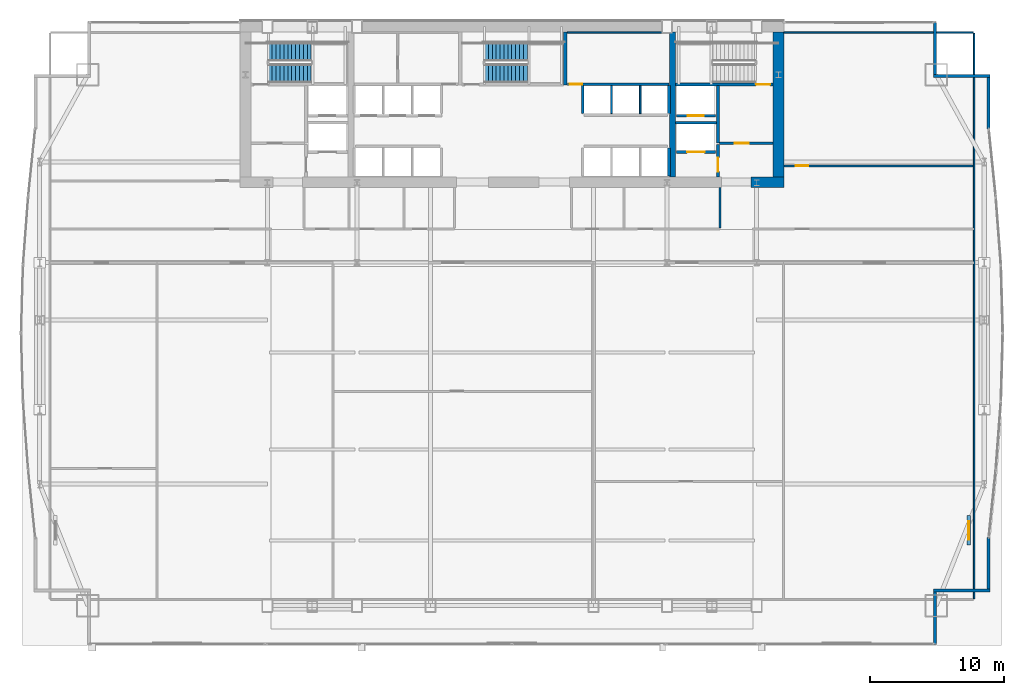
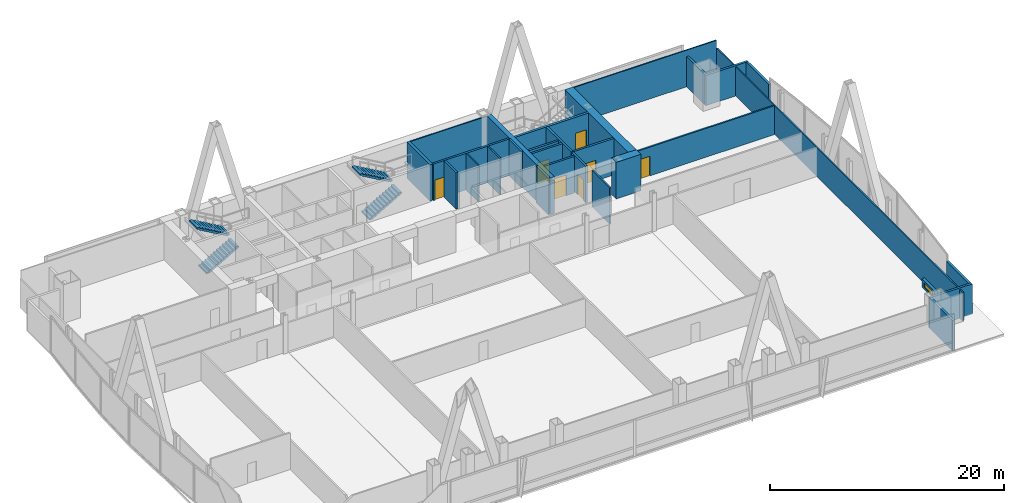
# One storey, part 31 of 35: 29 walls, 7 doors, 4 stair flights, 1 window, 8 openings, 2 elements without a shape of their own.
"""IFC4 building model written with IfcOpenShell, lengths in metres."""

from ifc_helpers import new_model, si_unit, direction, frame, frame_2d, origin, place, context, subcontext, project, spatial, polyline, rectangle, outline, extrude, material, layer, layer_set, type_object, element, fill, aggregate, save


model = new_model("IFC4")

# Units and contexts
model_context = context("Model", 3, precision=1e-05, world=origin(), true_north=direction((0.0, 1.0)))
body_context = subcontext(model_context, "Body", "Model", "MODEL_VIEW")
ifc_project = project(units=[si_unit("LENGTHUNIT", "METRE"), si_unit("AREAUNIT", "SQUARE_METRE"), si_unit("VOLUMEUNIT", "CUBIC_METRE"), si_unit("PLANEANGLEUNIT", "RADIAN"), si_unit("MASSUNIT", "GRAM", prefix="KILO")], contexts=[model_context])

# Site, building, storey
site_placement = place(None, origin())
site = spatial("IfcSite", under=ifc_project, at=site_placement, CompositionType="ELEMENT")
building_placement = place(site_placement, origin())
building = spatial("IfcBuilding", under=site, at=building_placement, Name="Khoronbel Lancet Exchange", CompositionType="ELEMENT")
storey_placement = place(building_placement, frame((0.0, 0.0, 25.800048828125)))
storey = spatial("IfcBuildingStorey", under=building, at=storey_placement, Name="L05", CompositionType="ELEMENT", Elevation=25.800048828125)

# Walls
ifc_material_1 = material(Name="Concrete C80/95", Category="concrete")
ifc_layer_1 = layer(ifc_material_1, 0.800048828125, Name="Concrete C80/95")
ifc_layer_set_1 = layer_set([ifc_layer_1], Name="Concrete C80/95")
wall_type_1 = type_object("IfcWallType", Name="WL-CW1", PredefinedType="SHEAR", material=ifc_layer_set_1)
wall_1_placement = place(storey_placement, frame((56.300048828125, 52.89990234375, 0.0), z_axis=(0.0, 0.0, 1.0), x_axis=(0.0, -1.0, 0.0)))
element("IfcWall", 1, at=wall_1_placement, inside=storey, type_object=wall_type_1, Name="Level L05 rear core east shear wall", PredefinedType="SHEAR", context=body_context, shape_type="SweptSolid", body=[
    extrude(rectangle(XDim=10.7998046875, YDim=0.800048828125, at=frame_2d((5.39990234375, 0.0))), origin(), (0.0, 0.0, 1.0), 3.820068359375),
])
wall_2_placement = place(storey_placement, frame((56.699951171875, 41.699951171875, 0.0), z_axis=(0.0, 0.0, 1.0), x_axis=(-1.0, 0.0, 0.0)))
element("IfcWall", 2, at=wall_2_placement, inside=storey, type_object=wall_type_1, Name="Level L05 rear core south shear wall pier P5", PredefinedType="SHEAR", context=body_context, shape_type="SweptSolid", body=[
    extrude(rectangle(XDim=2.449951171875, YDim=0.800048828125, at=frame_2d((1.22509765625, 0.0))), origin(), (0.0, 0.0, 1.0), 3.820068359375),
])
ifc_material_2 = material(Name="Precast concrete C40/50", Category="concrete")
ifc_layer_2 = layer(ifc_material_2, 0.25, Name="Precast concrete C40/50")
ifc_layer_set_2 = layer_set([ifc_layer_2], Name="Precast concrete C40/50")
wall_type_2 = type_object("IfcWallType", Name="WL-EXT250", PredefinedType="SOLIDWALL", material=ifc_layer_set_2)
wall_3_placement = place(storey_placement, frame((67.9599609375, 53.6298828125, 0.0), z_axis=(0.0, 0.0, 1.0), x_axis=(0.0, -1.0, 0.0)))
element("IfcWall", 3, at=wall_3_placement, inside=storey, type_object=wall_type_2, Name="Level L05 notched-corner limestone pier 14", PredefinedType="SOLIDWALL", context=body_context, shape_type="SweptSolid", body=[
    extrude(rectangle(XDim=3.909912109375, YDim=0.219970703125, at=frame_2d((1.955078125, 0.0))), origin(), (0.0, 0.0, 1.0), 3.159912109375),
])
wall_4_placement = place(storey_placement, frame((67.85009765625, 49.610107421875, 0.0), z_axis=(0.0, 0.0, 1.0), x_axis=(1.0, 0.0, 0.0)))
element("IfcWall", 4, at=wall_4_placement, inside=storey, type_object=wall_type_2, Name="Level L05 notched-corner limestone pier 15", PredefinedType="SOLIDWALL", context=body_context, shape_type="SweptSolid", body=[
    extrude(rectangle(XDim=4.219970703125, YDim=0.219970703125, at=frame_2d((2.10986328125, 0.0))), origin(), (0.0, 0.0, 1.0), 3.159912109375),
])
for number, where, z_axis, x_axis, name in (
    (5, (71.9599609375, 49.5, 0.0), (0.0, 0.0, 1.0), (0.0, -1.0, 0.0), "Level L05 notched-corner limestone pier 16"),
    (6, (71.9599609375, 15.224609375, 0.0), (0.0, 0.0, 1.0), (0.0, -1.0, 0.0), "Level L05 notched-corner limestone pier 23"),
):
    element("IfcWall", number, at=place(storey_placement, frame(where, z_axis=z_axis, x_axis=x_axis)), inside=storey, type_object=wall_type_2, Name=name, PredefinedType="SOLIDWALL", context=body_context, shape_type="SweptSolid", body=[
        extrude(rectangle(XDim=3.82470703125, YDim=0.219970703125, at=frame_2d((1.912353515625, 0.0))), origin(), (0.0, 0.0, 1.0), 3.159912109375),
    ])
wall_5_placement = place(storey_placement, frame((72.070068359375, 11.2900390625, 0.0), z_axis=(0.0, 0.0, 1.0), x_axis=(-1.0, 0.0, 0.0)))
element("IfcWall", 7, at=wall_5_placement, inside=storey, type_object=wall_type_2, Name="Level L05 notched-corner limestone pier 24", PredefinedType="SOLIDWALL", context=body_context, shape_type="SweptSolid", body=[
    extrude(rectangle(XDim=4.219970703125, YDim=0.219970703125, at=frame_2d((2.10986328125, 0.0))), origin(), (0.0, 0.0, 1.0), 3.159912109375),
])
wall_6_placement = place(storey_placement, frame((67.9599609375, 11.179931640625, 0.0), z_axis=(0.0, 0.0, 1.0), x_axis=(0.0, -1.0, 0.0)))
element("IfcWall", 8, at=wall_6_placement, inside=storey, type_object=wall_type_2, Name="Level L05 notched-corner limestone pier 25", PredefinedType="SOLIDWALL", context=body_context, shape_type="SweptSolid", body=[
    extrude(rectangle(XDim=3.909912109375, YDim=0.219970703125, at=frame_2d((1.955078125, 0.0))), origin(), (0.0, 0.0, 1.0), 3.159912109375),
])

# Wall, opening, window
ifc_material_3 = material(Name="Concrete C40/50", Category="concrete")
ifc_layer_3 = layer(ifc_material_3, 0.25, Name="Concrete C40/50")
ifc_layer_set_3 = layer_set([ifc_layer_3], Name="Concrete C40/50")
wall_type_3 = type_object("IfcWallType", Name="WL-PAR250", PredefinedType="PARAPET", material=ifc_layer_set_3)
wall_7_placement = place(storey_placement, frame((70.485107421875, 14.658447265625, 0.0), z_axis=(0.0, 0.0, 1.0), x_axis=(0.0, 1.0, 0.0)))
wall_7 = element("IfcWall", 9, at=wall_7_placement, inside=storey, type_object=wall_type_3, Name="Level L05 setback roof slab 2 smoke-ventilation skylight lantern curb", PredefinedType="PARAPET", context=body_context, shape_type="SweptSolid", body=[
    extrude(rectangle(XDim=2.199951171875, YDim=0.25, at=frame_2d((1.10009765625, 0.0))), origin(), (0.0, 0.0, 1.0), 0.8798828125),
])
opening_1_placement = place(wall_7_placement, frame((0.39990234375, 0.0, 0.159912109375)))
opening_1 = element("IfcOpeningElement", 10, at=opening_1_placement, cuts=wall_7, Name="Opening SK2", PredefinedType="OPENING", context=body_context, shape_type="SweptSolid", body=[
    extrude(rectangle(XDim=1.39990234375, YDim=0.5, at=frame_2d((0.699951171875, 0.25))), frame((0.0, 0.135009765625, 0.0), z_axis=(0.0, -1.0, 0.0), x_axis=(1.0, 0.0, 0.0)), (0.0, 0.0, 1.0), 0.27001953125),
])
ifc_material_4 = material(Name="Low-E Solar Control Insulating Glass", Category="glass")
window_type = type_object("IfcWindowType", Name="WIN-SK2", PartitioningType="SINGLE_PANEL", PredefinedType="SKYLIGHT", material=ifc_material_4)
window_placement = place(opening_1_placement, origin())
window = element("IfcWindow", 11, at=window_placement, inside=storey, type_object=window_type, Name="Level L05 setback roof slab 2 smoke-ventilation clerestory skylight", OverallHeight=0.5, OverallWidth=1.39990234375, PartitioningType="SINGLE_PANEL", PredefinedType="SKYLIGHT", context=body_context, shape_type="SweptSolid", body=[
    extrude(rectangle(XDim=1.39990234375, YDim=0.5, at=frame_2d((0.699951171875, 0.25))), frame((0.0, 0.030029296875, 0.0), z_axis=(0.0, -1.0, 0.0), x_axis=(1.0, 0.0, 0.0)), (0.0, 0.0, 1.0), 0.06005859375),
])
fill(opening_1, window)

# Wall
ifc_material_5 = material(Name="Acoustic Metal-Stud & Mineral-Wool Gypsum Partition 120 mm", Category="gypsum")
ifc_layer_4 = layer(ifc_material_5, 0.1201171875, Name="Acoustic Metal-Stud & Mineral-Wool Gypsum Partition 120 mm")
ifc_layer_set_4 = layer_set([ifc_layer_4], Name="Acoustic Metal-Stud & Mineral-Wool Gypsum Partition 120 mm")
wall_type_4 = type_object("IfcWallType", Name="WL-PRT120", PredefinedType="PARTITIONING", material=ifc_layer_set_4)
wall_8_placement = place(storey_placement, frame((51.949951171875, 38.280029296875, 0.0), z_axis=(0.0, 0.0, 1.0), x_axis=(0.0, 1.0, 0.0)))
element("IfcWall", 12, at=wall_8_placement, inside=storey, type_object=wall_type_4, Name="Level L05 interior partition PW-NP-1", PredefinedType="PARTITIONING", context=body_context, shape_type="SweptSolid", body=[
    extrude(rectangle(XDim=3.02001953125, YDim=0.14990234375, at=frame_2d((1.510009765625, 0.0))), origin(), (0.0, 0.0, 1.0), 3.820068359375),
])

# Wall, opening, door
wall_9_placement = place(storey_placement, frame((56.699951171875, 42.919921875, 0.0), z_axis=(0.0, 0.0, 1.0), x_axis=(1.0, 0.0, 0.0)))
wall_9 = element("IfcWall", 13, at=wall_9_placement, inside=storey, type_object=wall_type_4, Name="Level L05 interior partition PW-NE-H", PredefinedType="PARTITIONING", context=body_context, shape_type="SweptSolid", body=[
    extrude(rectangle(XDim=14.10498046875, YDim=0.14990234375, at=frame_2d((7.052490234375, 0.0))), origin(), (0.0, 0.0, 1.0), 3.010009765625),
])
opening_2_placement = place(wall_9_placement, frame((0.89990234375, 0.0, 0.0)))
opening_2 = element("IfcOpeningElement", 14, at=opening_2_placement, cuts=wall_9, Name="Opening D5", PredefinedType="OPENING", context=body_context, shape_type="SweptSolid", body=[
    extrude(rectangle(XDim=0.89990234375, YDim=2.050048828125, at=frame_2d((0.449951171875, 1.02490234375))), frame((0.0, 0.0849609375, 0.0), z_axis=(0.0, -1.0, 0.0), x_axis=(1.0, 0.0, 0.0)), (0.0, 0.0, 1.0), 0.169921875),
])
ifc_material_6 = material(Name="Acoustic Timber Pantry & Support Door", Category="wood")
door_type_1 = type_object("IfcDoorType", Name="DR-D5", OperationType="NOTDEFINED", PredefinedType="DOOR", material=ifc_material_6)
door_1_placement = place(opening_2_placement, origin())
door_1 = element("IfcDoor", 15, at=door_1_placement, inside=storey, type_object=door_type_1, Name="NE north room door L05-1", OperationType="SINGLE_SWING_LEFT", OverallHeight=2.050048828125, OverallWidth=0.89990234375, PredefinedType="DOOR", context=body_context, shape_type="SweptSolid", body=[
    extrude(rectangle(XDim=0.89990234375, YDim=2.050048828125, at=frame_2d((0.449951171875, 1.02490234375))), frame((0.0, 0.02490234375, 0.0), z_axis=(0.0, -1.0, 0.0), x_axis=(1.0, 0.0, 0.0)), (0.0, 0.0, 1.0), 0.050048828125),
])
fill(opening_2, door_1)

# Walls
wall_10_placement = place(storey_placement, frame((70.8701171875, 10.6650390625, 0.0), z_axis=(0.0, 0.0, 1.0), x_axis=(0.0, 1.0, 0.0)))
element("IfcWall", 16, at=wall_10_placement, inside=storey, type_object=wall_type_4, Name="Level L05 interior partition PW-LIN-E", PredefinedType="PARTITIONING", context=body_context, shape_type="SweptSolid", body=[
    extrude(rectangle(XDim=42.10986328125, YDim=0.1201171875, at=frame_2d((21.054931640625, 0.0))), origin(), (0.0, 0.0, 1.0), 3.010009765625),
])
wall_11_placement = place(storey_placement, frame((56.699951171875, 52.840087890625, 0.0), z_axis=(0.0, 0.0, 1.0), x_axis=(1.0, 0.0, 0.0)))
element("IfcWall", 17, at=wall_11_placement, inside=storey, type_object=wall_type_4, Name="Level L05 interior partition PW-LIN-NE", PredefinedType="PARTITIONING", context=body_context, shape_type="SweptSolid", body=[
    extrude(rectangle(XDim=14.10498046875, YDim=0.1201171875, at=frame_2d((7.052490234375, 0.0))), origin(), (0.0, 0.0, 1.0), 3.820068359375),
])
ifc_material_7 = material(Name="Fire-Rated Metal-Stud & Mineral-Wool Gypsum Partition 120 mm", Category="gypsum")
ifc_layer_5 = layer(ifc_material_7, 0.1201171875, Name="Fire-Rated Metal-Stud & Mineral-Wool Gypsum Partition 120 mm")
ifc_layer_set_5 = layer_set([ifc_layer_5], Name="Fire-Rated Metal-Stud & Mineral-Wool Gypsum Partition 120 mm")
wall_type_5 = type_object("IfcWallType", Name="WL-PRT120F", PredefinedType="PARTITIONING", material=ifc_layer_set_5)
for number, where, z_axis, x_axis, name in (
    (18, (43.860107421875, 46.804931640625, 0.0), (0.0, 0.0, 1.0), (0.0, 1.0, 0.0), "Level L05 interior partition CW-PH-D1"),
    (19, (46.0, 46.804931640625, 0.0), (0.0, 0.0, 1.0), (0.0, 1.0, 0.0), "Level L05 interior partition CW-PH-D2"),
):
    element("IfcWall", number, at=place(storey_placement, frame(where, z_axis=z_axis, x_axis=x_axis)), inside=storey, type_object=wall_type_5, Name=name, PredefinedType="PARTITIONING", context=body_context, shape_type="SweptSolid", body=[
        extrude(rectangle(XDim=2.090087890625, YDim=0.1201171875, at=frame_2d((1.044921875, 0.0))), origin(), (0.0, 0.0, 1.0), 3.820068359375),
    ])
wall_12_placement = place(storey_placement, frame((40.580078125, 52.860107421875, 0.0), z_axis=(0.0, 0.0, 1.0), x_axis=(1.0, 0.0, 0.0)))
element("IfcWall", 20, at=wall_12_placement, inside=storey, type_object=wall_type_5, Name="Level L05 interior partition CW-SUP-NE-N", PredefinedType="PARTITIONING", context=body_context, shape_type="SweptSolid", body=[
    extrude(rectangle(XDim=7.559814453125, YDim=0.1201171875, at=frame_2d((3.77978515625, 0.0))), origin(), (0.0, 0.0, 1.0), 3.820068359375),
])

# Wall, opening, door
ifc_material_8 = material(Name="Autoclaved Aerated Concrete Blockwork 200 mm", Category="masonry")
ifc_layer_6 = layer(ifc_material_8, 0.199951171875, Name="Autoclaved Aerated Concrete Blockwork 200 mm")
ifc_layer_set_6 = layer_set([ifc_layer_6], Name="Autoclaved Aerated Concrete Blockwork 200 mm")
wall_type_6 = type_object("IfcWallType", Name="WL-PRT200", PredefinedType="PARTITIONING", material=ifc_layer_set_6)
wall_13_placement = place(storey_placement, frame((51.610107421875, 43.949951171875, 0.0), z_axis=(0.0, 0.0, 1.0), x_axis=(-1.0, 0.0, 0.0)))
wall_13 = element("IfcWall", 21, at=wall_13_placement, inside=storey, type_object=wall_type_6, Name="Level L05 elevator hoistway landing front wall SVLE", PredefinedType="PARTITIONING", context=body_context, shape_type="SweptSolid", body=[
    extrude(rectangle(XDim=2.920166015625, YDim=0.199951171875, at=frame_2d((1.4599609375, 0.0))), origin(), (0.0, 0.0, 1.0), 3.820068359375),
])
opening_3_placement = place(wall_13_placement, frame((0.81005859375, 0.0, 0.0)))
opening_3 = element("IfcOpeningElement", 22, at=opening_3_placement, cuts=wall_13, Name="Opening LD-SVL2", PredefinedType="OPENING", context=body_context, shape_type="SweptSolid", body=[
    extrude(rectangle(XDim=1.300048828125, YDim=2.179931640625, at=frame_2d((0.64990234375, 1.08984375))), frame((0.0, 0.10986328125, 0.0), z_axis=(0.0, -1.0, 0.0), x_axis=(1.0, 0.0, 0.0)), (0.0, 0.0, 1.0), 0.219970703125),
])
ifc_material_9 = material(Name="Heavy-Duty Bi-Parting Goods Lift Landing Door", Category="steel")
door_type_2 = type_object("IfcDoorType", Name="DR-LD-SVL", OperationType="NOTDEFINED", PredefinedType="DOOR", material=ifc_material_9)
door_2_placement = place(opening_3_placement, origin())
door_2 = element("IfcDoor", 23, at=door_2_placement, inside=storey, type_object=door_type_2, Name="Elevator landing sliding door LD-SVL2 L05", OperationType="SLIDING_TO_LEFT", OverallHeight=2.179931640625, OverallWidth=1.300048828125, PredefinedType="DOOR", context=body_context, shape_type="SweptSolid", body=[
    extrude(rectangle(XDim=1.300048828125, YDim=2.179931640625, at=frame_2d((0.64990234375, 1.08984375))), frame((0.0, 0.02490234375, 0.0), z_axis=(0.0, -1.0, 0.0), x_axis=(1.0, 0.0, 0.0)), (0.0, 0.0, 1.0), 0.050048828125),
])
fill(opening_3, door_2)

wall_14_placement = place(storey_placement, frame((51.610107421875, 46.64990234375, 0.0), z_axis=(0.0, 0.0, 1.0), x_axis=(-1.0, 0.0, 0.0)))
wall_14 = element("IfcWall", 24, at=wall_14_placement, inside=storey, type_object=wall_type_6, Name="Level L05 elevator hoistway landing front wall FFLE", PredefinedType="PARTITIONING", context=body_context, shape_type="SweptSolid", body=[
    extrude(rectangle(XDim=2.920166015625, YDim=0.199951171875, at=frame_2d((1.4599609375, 0.0))), origin(), (0.0, 0.0, 1.0), 3.820068359375),
])
opening_4_placement = place(wall_14_placement, frame((0.860107421875, 0.0, 0.0)))
opening_4 = element("IfcOpeningElement", 25, at=opening_4_placement, cuts=wall_14, Name="Opening LD-FFL2", PredefinedType="OPENING", context=body_context, shape_type="SweptSolid", body=[
    extrude(rectangle(XDim=1.199951171875, YDim=2.179931640625, at=frame_2d((0.60009765625, 1.08984375))), frame((0.0, 0.10986328125, 0.0), z_axis=(0.0, -1.0, 0.0), x_axis=(1.0, 0.0, 0.0)), (0.0, 0.0, 1.0), 0.219970703125),
])
ifc_material_10 = material(Name="Fire-Rated Stainless Bi-Parting Firefighting Lift Door", Category="steel")
door_type_3 = type_object("IfcDoorType", Name="DR-LD-FFL", OperationType="NOTDEFINED", PredefinedType="DOOR", material=ifc_material_10)
door_3_placement = place(opening_4_placement, origin())
door_3 = element("IfcDoor", 26, at=door_3_placement, inside=storey, type_object=door_type_3, Name="Elevator landing sliding door LD-FFL2 L05", OperationType="SLIDING_TO_LEFT", OverallHeight=2.179931640625, OverallWidth=1.199951171875, PredefinedType="DOOR", context=body_context, shape_type="SweptSolid", body=[
    extrude(rectangle(XDim=1.199951171875, YDim=2.179931640625, at=frame_2d((0.60009765625, 1.08984375))), frame((0.0, 0.02490234375, 0.0), z_axis=(0.0, -1.0, 0.0), x_axis=(1.0, 0.0, 0.0)), (0.0, 0.0, 1.0), 0.050048828125),
])
fill(opening_4, door_3)

# Wall
wall_15_placement = place(storey_placement, frame((51.800048828125, 44.60009765625, 0.0), z_axis=(0.0, 0.0, 1.0), x_axis=(0.0, 1.0, 0.0)))
element("IfcWall", 27, at=wall_15_placement, inside=storey, type_object=wall_type_6, Name="Level L05 interior partition CW-FFLE-W", PredefinedType="PARTITIONING", context=body_context, shape_type="SweptSolid", body=[
    extrude(rectangle(XDim=4.2998046875, YDim=0.199951171875, at=frame_2d((2.14990234375, 0.0))), origin(), (0.0, 0.0, 1.0), 3.820068359375),
])

# Wall, opening, door
wall_16_placement = place(storey_placement, frame((51.89990234375, 44.60009765625, 0.0), z_axis=(0.0, 0.0, 1.0), x_axis=(1.0, 0.0, 0.0)))
wall_16 = element("IfcWall", 28, at=wall_16_placement, inside=storey, type_object=wall_type_6, Name="Level L05 interior partition CW-FFLE-S", PredefinedType="PARTITIONING", context=body_context, shape_type="SweptSolid", body=[
    extrude(rectangle(XDim=4.0, YDim=0.199951171875, at=frame_2d((2.0, 0.0))), origin(), (0.0, 0.0, 1.0), 3.820068359375),
])
opening_5_placement = place(wall_16_placement, frame((1.14990234375, 0.0, 0.0)))
opening_5 = element("IfcOpeningElement", 29, at=opening_5_placement, cuts=wall_16, Name="Opening FD1", PredefinedType="OPENING", context=body_context, shape_type="SweptSolid", body=[
    extrude(rectangle(XDim=1.050048828125, YDim=2.14990234375, at=frame_2d((0.52490234375, 1.074951171875))), frame((0.0, 0.10986328125, 0.0), z_axis=(0.0, -1.0, 0.0), x_axis=(1.0, 0.0, 0.0)), (0.0, 0.0, 1.0), 0.219970703125),
])
ifc_material_11 = material(Name="Fire-Rated Painted Steel Door Assembly", Category="steel")
door_type_4 = type_object("IfcDoorType", Name="DR-FD1", OperationType="NOTDEFINED", PredefinedType="DOOR", material=ifc_material_11)
door_4_placement = place(opening_5_placement, origin())
door_4 = element("IfcDoor", 30, at=door_4_placement, inside=storey, type_object=door_type_4, Name="East firefighting lobby FD90S door L05-1", OperationType="SINGLE_SWING_RIGHT", OverallHeight=2.14990234375, OverallWidth=1.050048828125, PredefinedType="DOOR", context=body_context, shape_type="SweptSolid", body=[
    extrude(rectangle(XDim=1.050048828125, YDim=2.14990234375, at=frame_2d((0.52490234375, 1.074951171875))), frame((0.0, 0.02490234375, 0.0), z_axis=(0.0, -1.0, 0.0), x_axis=(1.0, 0.0, 0.0)), (0.0, 0.0, 1.0), 0.050048828125),
])
fill(opening_5, door_4)

# Wall
wall_17_placement = place(storey_placement, frame((48.6298828125, 46.1201171875, 0.0), z_axis=(0.0, 0.0, 1.0), x_axis=(1.0, 0.0, 0.0)))
element("IfcWall", 31, at=wall_17_placement, inside=storey, type_object=wall_type_6, Name="Level L05 interior partition CW-FFL2-S", PredefinedType="PARTITIONING", context=body_context, shape_type="SweptSolid", body=[
    extrude(rectangle(XDim=3.070068359375, YDim=0.199951171875, at=frame_2d((1.53515625, 0.0))), origin(), (0.0, 0.0, 1.0), 3.820068359375),
])

# Wall, opening, door
wall_18_placement = place(storey_placement, frame((51.800048828125, 42.10009765625, 0.0), z_axis=(0.0, 0.0, 1.0), x_axis=(0.0, 1.0, 0.0)))
wall_18 = element("IfcWall", 32, at=wall_18_placement, inside=storey, type_object=wall_type_6, Name="Level L05 interior partition CW-SVLE-E", PredefinedType="PARTITIONING", context=body_context, shape_type="SweptSolid", body=[
    extrude(rectangle(XDim=2.39501953125, YDim=0.199951171875, at=frame_2d((1.197509765625, 0.0))), origin(), (0.0, 0.0, 1.0), 3.820068359375),
])
opening_6_placement = place(wall_18_placement, frame((0.3798828125, 0.0, 0.0)))
opening_6 = element("IfcOpeningElement", 33, at=opening_6_placement, cuts=wall_18, Name="Opening FD1", PredefinedType="OPENING", context=body_context, shape_type="SweptSolid", body=[
    extrude(rectangle(XDim=1.050048828125, YDim=2.14990234375, at=frame_2d((0.52490234375, 1.074951171875))), frame((0.0, 0.10986328125, 0.0), z_axis=(0.0, -1.0, 0.0), x_axis=(1.0, 0.0, 0.0)), (0.0, 0.0, 1.0), 0.219970703125),
])
door_5_placement = place(opening_6_placement, origin())
door_5 = element("IfcDoor", 34, at=door_5_placement, inside=storey, type_object=door_type_4, Name="East service lift lobby door L05-1", OperationType="SINGLE_SWING_LEFT", OverallHeight=2.14990234375, OverallWidth=1.050048828125, PredefinedType="DOOR", context=body_context, shape_type="SweptSolid", body=[
    extrude(rectangle(XDim=1.050048828125, YDim=2.14990234375, at=frame_2d((0.52490234375, 1.074951171875))), frame((0.0, 0.02490234375, 0.0), z_axis=(0.0, -1.0, 0.0), x_axis=(1.0, 0.0, 0.0)), (0.0, 0.0, 1.0), 0.050048828125),
])
fill(opening_6, door_5)

# Walls
for number, where, z_axis, x_axis, name in (
    (35, (41.719970703125, 46.804931640625, 0.0), (0.0, 0.0, 1.0), (0.0, 1.0, 0.0), "Level L05 interior partition CW-PH-W"),
    (36, (48.139892578125, 46.804931640625, 0.0), (0.0, 0.0, 1.0), (0.0, 1.0, 0.0), "Level L05 interior partition CW-PH-E"),
):
    element("IfcWall", number, at=place(storey_placement, frame(where, z_axis=z_axis, x_axis=x_axis)), inside=storey, type_object=wall_type_6, Name=name, PredefinedType="PARTITIONING", context=body_context, shape_type="SweptSolid", body=[
        extrude(rectangle(XDim=2.090087890625, YDim=0.199951171875, at=frame_2d((1.044921875, 0.0))), origin(), (0.0, 0.0, 1.0), 3.820068359375),
    ])
wall_19_placement = place(storey_placement, frame((48.139892578125, 42.14990234375, 0.0), z_axis=(0.0, 0.0, 1.0), x_axis=(0.0, 1.0, 0.0)))
element("IfcWall", 37, at=wall_19_placement, inside=storey, type_object=wall_type_6, Name="Level L05 interior partition CW-PX-E", PredefinedType="PARTITIONING", context=body_context, shape_type="SweptSolid", body=[
    extrude(rectangle(XDim=2.09521484375, YDim=0.199951171875, at=frame_2d((1.047607421875, 0.0))), origin(), (0.0, 0.0, 1.0), 3.820068359375),
])

# Wall, opening, door
wall_20_placement = place(storey_placement, frame((40.580078125, 49.0, 0.0), z_axis=(0.0, 0.0, 1.0), x_axis=(1.0, 0.0, 0.0)))
wall_20 = element("IfcWall", 38, at=wall_20_placement, inside=storey, type_object=wall_type_6, Name="Level L05 interior partition CW-SUP-NE-S", PredefinedType="PARTITIONING", context=body_context, shape_type="SweptSolid", body=[
    extrude(rectangle(XDim=7.559814453125, YDim=0.199951171875, at=frame_2d((3.77978515625, 0.0))), origin(), (0.0, 0.0, 1.0), 3.820068359375),
])
opening_7_placement = place(wall_20_placement, frame((0.159912109375, 0.0, 0.0)))
opening_7 = element("IfcOpeningElement", 39, at=opening_7_placement, cuts=wall_20, Name="Opening FD3", PredefinedType="OPENING", context=body_context, shape_type="SweptSolid", body=[
    extrude(rectangle(XDim=0.949951171875, YDim=2.10009765625, at=frame_2d((0.47509765625, 1.050048828125))), frame((0.0, 0.10986328125, 0.0), z_axis=(0.0, -1.0, 0.0), x_axis=(1.0, 0.0, 0.0)), (0.0, 0.0, 1.0), 0.219970703125),
])
ifc_material_12 = material(Name="Fire-Rated Steel Plant & Riser Door Assembly", Category="steel")
door_type_5 = type_object("IfcDoorType", Name="DR-FD3", OperationType="NOTDEFINED", PredefinedType="DOOR", material=ifc_material_12)
door_6_placement = place(opening_7_placement, origin())
door_6 = element("IfcDoor", 40, at=door_6_placement, inside=storey, type_object=door_type_5, Name="Core NE support room door L05-1", OperationType="SINGLE_SWING_RIGHT", OverallHeight=2.10009765625, OverallWidth=0.949951171875, PredefinedType="DOOR", context=body_context, shape_type="SweptSolid", body=[
    extrude(rectangle(XDim=0.949951171875, YDim=2.10009765625, at=frame_2d((0.47509765625, 1.050048828125))), frame((0.0, 0.02490234375, 0.0), z_axis=(0.0, -1.0, 0.0), x_axis=(1.0, 0.0, 0.0)), (0.0, 0.0, 1.0), 0.050048828125),
])
fill(opening_7, door_6)

# Walls
ifc_layer_7 = layer(ifc_material_1, 0.449951171875, Name="Concrete C80/95")
ifc_layer_set_7 = layer_set([ifc_layer_7], Name="Concrete C80/95")
wall_type_7 = type_object("IfcWallType", Name="WL-SW1", PredefinedType="SHEAR", material=ifc_layer_set_7)
wall_21_placement = place(storey_placement, frame((48.39990234375, 42.10009765625, 0.0), z_axis=(0.0, 0.0, 1.0), x_axis=(0.0, 1.0, 0.0)))
element("IfcWall", 41, at=wall_21_placement, inside=storey, type_object=wall_type_7, Name="Level L05 rear core internal spine shear wall IE", PredefinedType="SHEAR", context=body_context, shape_type="SweptSolid", body=[
    extrude(rectangle(XDim=10.7998046875, YDim=0.449951171875, at=frame_2d((5.39990234375, 0.0))), origin(), (0.0, 0.0, 1.0), 3.820068359375),
])
ifc_material_13 = material(Name="Concrete C60/75", Category="concrete")
ifc_layer_8 = layer(ifc_material_13, 0.260009765625, Name="Concrete C60/75")
ifc_layer_set_8 = layer_set([ifc_layer_8], Name="Concrete C60/75")
wall_type_8 = type_object("IfcWallType", Name="WL-SW3", PredefinedType="SHEAR", material=ifc_layer_set_8)
wall_22_placement = place(storey_placement, frame((40.419921875, 48.949951171875, 0.0), z_axis=(0.0, 0.0, 1.0), x_axis=(0.0, 1.0, 0.0)))
element("IfcWall", 42, at=wall_22_placement, inside=storey, type_object=wall_type_8, Name="Level L05 central stairwell structural shear wall ST3E", PredefinedType="SHEAR", context=body_context, shape_type="SweptSolid", body=[
    extrude(rectangle(XDim=3.949951171875, YDim=0.260009765625, at=frame_2d((1.97509765625, 0.0))), origin(), (0.0, 0.0, 1.0), 3.820068359375),
])

# Wall, opening, door
wall_23_placement = place(storey_placement, frame((48.6298828125, 48.97998046875, 0.0), z_axis=(0.0, 0.0, 1.0), x_axis=(1.0, 0.0, 0.0)))
wall_23 = element("IfcWall", 43, at=wall_23_placement, inside=storey, type_object=wall_type_8, Name="Level L05 east stairwell structural south wall", PredefinedType="SHEAR", context=body_context, shape_type="SweptSolid", body=[
    extrude(rectangle(XDim=7.27001953125, YDim=0.239990234375, at=frame_2d((3.635009765625, 0.0))), origin(), (0.0, 0.0, 1.0), 3.820068359375),
])
opening_8_placement = place(wall_23_placement, frame((6.0, 0.0, 0.0)))
opening_8 = element("IfcOpeningElement", 44, at=opening_8_placement, cuts=wall_23, Name="Opening SD1", PredefinedType="OPENING", context=body_context, shape_type="SweptSolid", body=[
    extrude(rectangle(XDim=1.050048828125, YDim=2.14990234375, at=frame_2d((0.52490234375, 1.074951171875))), frame((0.0, 0.1298828125, 0.0), z_axis=(0.0, -1.0, 0.0), x_axis=(1.0, 0.0, 0.0)), (0.0, 0.0, 1.0), 0.260009765625),
])
ifc_material_14 = material(Name="Fire-Rated Steel Stairwell Door Assembly", Category="steel")
door_type_6 = type_object("IfcDoorType", Name="DR-SD1", OperationType="NOTDEFINED", PredefinedType="DOOR", material=ifc_material_14)
door_7_placement = place(opening_8_placement, origin())
door_7 = element("IfcDoor", 45, at=door_7_placement, inside=storey, type_object=door_type_6, Name="Protected exit stair ST2 door L05", OperationType="SINGLE_SWING_RIGHT", OverallHeight=2.14990234375, OverallWidth=1.050048828125, PredefinedType="DOOR", context=body_context, shape_type="SweptSolid", body=[
    extrude(rectangle(XDim=1.050048828125, YDim=2.14990234375, at=frame_2d((0.52490234375, 1.074951171875))), frame((0.0, 0.02490234375, 0.0), z_axis=(0.0, -1.0, 0.0), x_axis=(1.0, 0.0, 0.0)), (0.0, 0.0, 1.0), 0.050048828125),
])
fill(opening_8, door_7)

# Stair, stair flights
stair_type = type_object("IfcStairType", Name="STR-CORE150", PredefinedType="HALF_TURN_STAIR", material=ifc_material_3)
stair_1_placement = place(storey_placement, origin())
stair_1 = element("IfcStair", 46, at=stair_1_placement, inside=storey, type_object=stair_type, Name="L05 Protected Exit Stair ST1", PredefinedType="HALF_TURN_STAIR")
stair_flight_type = type_object("IfcStairFlightType", Name="STF-150", PredefinedType="STRAIGHT", material=ifc_material_3)
stair_flight_1_placement = place(storey_placement, frame((18.300048828125, 49.81005859375, 0.0), z_axis=(0.0, 0.0, 1.0), x_axis=(1.0, 0.0, 0.0)))
stair_flight_1 = element("IfcStairFlight", 47, at=stair_flight_1_placement, type_object=stair_flight_type, Name="ST1 flight 1", NumberOfRisers=12, NumberOfTreads=11, PredefinedType="STRAIGHT", RiserHeight=0.166666667, TreadLength=0.29, context=body_context, shape_type="SweptSolid", body=[
    extrude(outline(polyline([(0.0, 0.0), (0.0, 0.166748046875), (0.2900390625, 0.166748046875), (0.2900390625, 0.333251953125), (0.580078125, 0.333251953125), (0.580078125, 0.5), (0.8701171875, 0.5), (0.8701171875, 0.666748046875), (1.159912109375, 0.666748046875), (1.159912109375, 0.833251953125), (1.449951171875, 0.833251953125), (1.449951171875, 1.0), (1.739990234375, 1.0), (1.739990234375, 1.166748046875), (2.030029296875, 1.166748046875), (2.030029296875, 1.333251953125), (2.320068359375, 1.333251953125), (2.320068359375, 1.5), (2.610107421875, 1.5), (2.610107421875, 1.666748046875), (2.89990234375, 1.666748046875), (2.89990234375, 1.833251953125), (3.18994140625, 1.833251953125), (3.18994140625, 2.0), (3.18994140625, 1.660400390625), (0.30078125, 0.0), (0.0, 0.0)])), frame((0.0, 0.68994140625, 0.0), z_axis=(0.0, -1.0, 0.0), x_axis=(1.0, 0.0, 0.0)), (0.0, 0.0, 1.0), 1.3798828125),
])
stair_flight_2_placement = place(storey_placement, frame((21.489990234375, 51.409912109375, 2.0), z_axis=(0.0, 0.0, 1.0), x_axis=(-1.0, 0.0, 0.0)))
stair_flight_2 = element("IfcStairFlight", 48, at=stair_flight_2_placement, type_object=stair_flight_type, Name="ST1 flight 2", NumberOfRisers=12, NumberOfTreads=11, PredefinedType="STRAIGHT", RiserHeight=0.166666667, TreadLength=0.29, context=body_context, shape_type="SweptSolid", body=[
    extrude(outline(polyline([(0.0, 0.0), (0.0, 0.166748046875), (0.2900390625, 0.166748046875), (0.2900390625, 0.333251953125), (0.580078125, 0.333251953125), (0.580078125, 0.5), (0.8701171875, 0.5), (0.8701171875, 0.666748046875), (1.159912109375, 0.666748046875), (1.159912109375, 0.833251953125), (1.449951171875, 0.833251953125), (1.449951171875, 1.0), (1.739990234375, 1.0), (1.739990234375, 1.166748046875), (2.030029296875, 1.166748046875), (2.030029296875, 1.333251953125), (2.320068359375, 1.333251953125), (2.320068359375, 1.5), (2.610107421875, 1.5), (2.610107421875, 1.666748046875), (2.89990234375, 1.666748046875), (2.89990234375, 1.833251953125), (3.18994140625, 1.833251953125), (3.18994140625, 2.0), (3.18994140625, 1.660400390625), (0.30078125, 0.0), (0.0, 0.0)])), frame((0.0, 0.68994140625, 0.0), z_axis=(0.0, -1.0, 0.0), x_axis=(1.0, 0.0, 0.0)), (0.0, 0.0, 1.0), 1.3798828125),
])
aggregate(stair_1, [stair_flight_1, stair_flight_2])

stair_2_placement = place(storey_placement, origin())
stair_2 = element("IfcStair", 49, at=stair_2_placement, inside=storey, type_object=stair_type, Name="L05 Protected Exit Stair ST3", PredefinedType="HALF_TURN_STAIR")
stair_flight_3_placement = place(storey_placement, frame((34.39990234375, 49.81005859375, 0.0), z_axis=(0.0, 0.0, 1.0), x_axis=(1.0, 0.0, 0.0)))
stair_flight_3 = element("IfcStairFlight", 50, at=stair_flight_3_placement, type_object=stair_flight_type, Name="ST3 flight 1", NumberOfRisers=12, NumberOfTreads=11, PredefinedType="STRAIGHT", RiserHeight=0.166666667, TreadLength=0.29, context=body_context, shape_type="SweptSolid", body=[
    extrude(outline(polyline([(0.0, 0.0), (0.0, 0.166748046875), (0.2900390625, 0.166748046875), (0.2900390625, 0.333251953125), (0.580078125, 0.333251953125), (0.580078125, 0.5), (0.8701171875, 0.5), (0.8701171875, 0.666748046875), (1.159912109375, 0.666748046875), (1.159912109375, 0.833251953125), (1.449951171875, 0.833251953125), (1.449951171875, 1.0), (1.739990234375, 1.0), (1.739990234375, 1.166748046875), (2.030029296875, 1.166748046875), (2.030029296875, 1.333251953125), (2.320068359375, 1.333251953125), (2.320068359375, 1.5), (2.610107421875, 1.5), (2.610107421875, 1.666748046875), (2.89990234375, 1.666748046875), (2.89990234375, 1.833251953125), (3.18994140625, 1.833251953125), (3.18994140625, 2.0), (3.18994140625, 1.660400390625), (0.30078125, 0.0), (0.0, 0.0)])), frame((0.0, 0.68994140625, 0.0), z_axis=(0.0, -1.0, 0.0), x_axis=(1.0, 0.0, 0.0)), (0.0, 0.0, 1.0), 1.3798828125),
])
stair_flight_4_placement = place(storey_placement, frame((37.590087890625, 51.409912109375, 2.0), z_axis=(0.0, 0.0, 1.0), x_axis=(-1.0, 0.0, 0.0)))
stair_flight_4 = element("IfcStairFlight", 51, at=stair_flight_4_placement, type_object=stair_flight_type, Name="ST3 flight 2", NumberOfRisers=12, NumberOfTreads=11, PredefinedType="STRAIGHT", RiserHeight=0.166666667, TreadLength=0.29, context=body_context, shape_type="SweptSolid", body=[
    extrude(outline(polyline([(0.0, 0.0), (0.0, 0.166748046875), (0.2900390625, 0.166748046875), (0.2900390625, 0.333251953125), (0.580078125, 0.333251953125), (0.580078125, 0.5), (0.8701171875, 0.5), (0.8701171875, 0.666748046875), (1.159912109375, 0.666748046875), (1.159912109375, 0.833251953125), (1.449951171875, 0.833251953125), (1.449951171875, 1.0), (1.739990234375, 1.0), (1.739990234375, 1.166748046875), (2.030029296875, 1.166748046875), (2.030029296875, 1.333251953125), (2.320068359375, 1.333251953125), (2.320068359375, 1.5), (2.610107421875, 1.5), (2.610107421875, 1.666748046875), (2.89990234375, 1.666748046875), (2.89990234375, 1.833251953125), (3.18994140625, 1.833251953125), (3.18994140625, 2.0), (3.18994140625, 1.660400390625), (0.30078125, 0.0), (0.0, 0.0)])), frame((0.0, 0.68994140625, 0.0), z_axis=(0.0, -1.0, 0.0), x_axis=(1.0, 0.0, 0.0)), (0.0, 0.0, 1.0), 1.3798828125),
])
aggregate(stair_2, [stair_flight_3, stair_flight_4])

save(model, "model.ifc")
